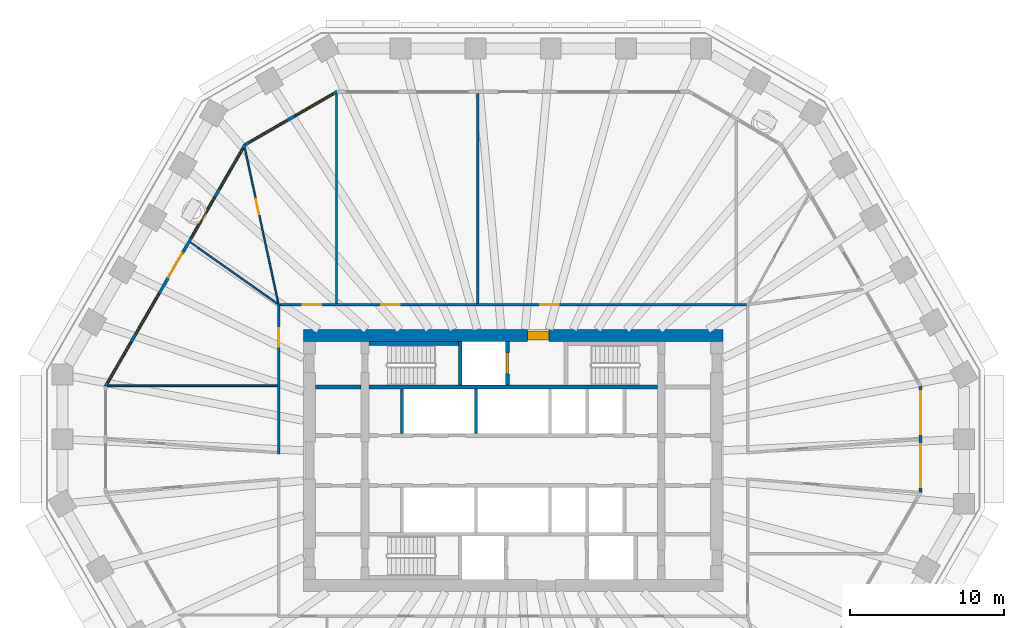
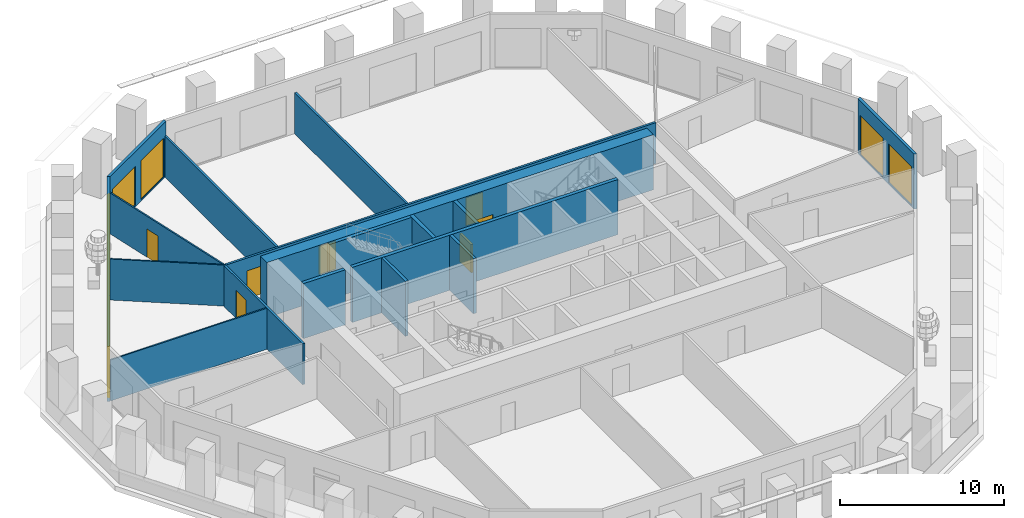
# One storey, part 6 of 12: 18 walls, 9 windows, 8 doors, 17 openings.
"""IFC4 building model written with IfcOpenShell, lengths in metres."""

from ifc_helpers import new_model, si_unit, direction, frame, frame_2d, origin, place, context, subcontext, project, spatial, polyline, rectangle, outline, extrude, material, layer, layer_set, type_object, element, fill, save


model = new_model("IFC4")

# Units and contexts
model_context = context("Model", 3, precision=1e-05, world=origin(), true_north=direction((0.0, 1.0)))
body_context = subcontext(model_context, "Body", "Model", "MODEL_VIEW")
ifc_project = project(units=[si_unit("LENGTHUNIT", "METRE"), si_unit("AREAUNIT", "SQUARE_METRE"), si_unit("VOLUMEUNIT", "CUBIC_METRE"), si_unit("PLANEANGLEUNIT", "RADIAN"), si_unit("MASSUNIT", "GRAM", prefix="KILO")], contexts=[model_context])

# Site, building, storey
site_placement = place(None, origin())
site = spatial("IfcSite", under=ifc_project, at=site_placement, CompositionType="ELEMENT")
building_placement = place(site_placement, origin())
building = spatial("IfcBuilding", under=site, at=building_placement, Name="Frailejon Research Tower", CompositionType="ELEMENT")
storey_placement = place(building_placement, frame((0.0, 0.0, 130.800048828125)))
storey = spatial("IfcBuildingStorey", under=building, at=storey_placement, Name="L28", CompositionType="ELEMENT", Elevation=130.800048828125)

# Wall, opening, door
ifc_material_1 = material(Name="Concrete C60/75", Category="concrete")
ifc_layer_1 = layer(ifc_material_1, 0.800048828125)
ifc_layer_set_1 = layer_set([ifc_layer_1], Name="Core shear wall 800 C60/75")
wall_type_1 = type_object("IfcWallType", Name="Core shear wall 800 C60/75", PredefinedType="SHEAR", material=ifc_layer_set_1)
wall_1_placement = place(storey_placement, frame((-13.60009765625, 8.10009765625, 0.0), z_axis=(0.0, 0.0, 1.0), x_axis=(1.0, 0.0, 0.0)))
wall_1 = element("IfcWall", 1, at=wall_1_placement, inside=storey, type_object=wall_type_1, Name="Core shear wall", PredefinedType="SHEAR", context=body_context, shape_type="SweptSolid", body=[
    extrude(rectangle(XDim=27.2001953125, YDim=0.800048828125, at=frame_2d((13.60009765625, 0.0))), origin(), (0.0, 0.0, 1.0), 4.099853515625),
])
opening_1_placement = place(wall_1_placement, frame((14.52490234375, 0.0, 0.0)))
opening_1 = element("IfcOpeningElement", 2, at=opening_1_placement, cuts=wall_1, Name="Opening D9", PredefinedType="OPENING", context=body_context, shape_type="SweptSolid", body=[
    extrude(rectangle(XDim=1.39990234375, YDim=2.10009765625, at=frame_2d((0.699951171875, 1.050048828125))), frame((0.0, 0.409912109375, 0.0), z_axis=(0.0, -1.0, 0.0), x_axis=(1.0, 0.0, 0.0)), (0.0, 0.0, 1.0), 0.820068359375),
])
ifc_material_2 = material(Name="Steel", Category="steel")
door_type_1 = type_object("IfcDoorType", Name="Goods lobby door", OperationType="DOUBLE_DOOR_SINGLE_SWING", PredefinedType="DOOR", material=ifc_material_2)
door_1_placement = place(opening_1_placement, origin())
door_1 = element("IfcDoor", 3, at=door_1_placement, inside=storey, type_object=door_type_1, Name="Goods lobby door", OperationType="DOUBLE_DOOR_SINGLE_SWING", OverallHeight=2.10009765625, OverallWidth=1.39990234375, PredefinedType="DOOR", context=body_context, shape_type="SweptSolid", body=[
    extrude(rectangle(XDim=1.39990234375, YDim=2.10009765625, at=frame_2d((0.699951171875, 1.050048828125))), frame((0.0, 0.300048828125, 0.0), z_axis=(0.0, -1.0, 0.0), x_axis=(1.0, 0.0, 0.0)), (0.0, 0.0, 1.0), 0.60009765625),
])
fill(opening_1, door_1)

# Wall, openings, doors
ifc_material_3 = material(Name="Gypsum board and masonry partition", Category="masonry")
ifc_layer_2 = layer(ifc_material_3, 0.14990234375)
ifc_layer_set_2 = layer_set([ifc_layer_2], Name="Corridor wall EI 60, gypsum on steel studs 150")
wall_type_2 = type_object("IfcWallType", Name="Corridor wall EI 60, gypsum on steel studs 150", PredefinedType="PARTITIONING", material=ifc_layer_set_2)
wall_2_placement = place(storey_placement, frame((-15.125, 10.10009765625, 0.0), z_axis=(0.0, 0.0, 1.0), x_axis=(1.0, 0.0, 0.0)))
wall_2 = element("IfcWall", 4, at=wall_2_placement, inside=storey, type_object=wall_type_2, Name="T:IW:L28:005", PredefinedType="PARTITIONING", context=body_context, shape_type="SweptSolid", body=[
    extrude(rectangle(XDim=30.25, YDim=0.14990234375, at=frame_2d((15.125, 0.0))), origin(), (0.0, 0.0, 1.0), 3.050048828125),
])
opening_2_placement = place(wall_2_placement, frame((16.895263671875, 0.0, 0.0)))
opening_2 = element("IfcOpeningElement", 5, at=opening_2_placement, cuts=wall_2, Name="Opening D1666", PredefinedType="OPENING", context=body_context, shape_type="SweptSolid", body=[
    extrude(rectangle(XDim=1.199951171875, YDim=2.10009765625, at=frame_2d((0.60009765625, 1.050048828125))), frame((0.0, 0.0849609375, 0.0), z_axis=(0.0, -1.0, 0.0), x_axis=(1.0, 0.0, 0.0)), (0.0, 0.0, 1.0), 0.169921875),
])
opening_3_placement = place(wall_2_placement, frame((6.563720703125, 0.0, 0.0)))
opening_3 = element("IfcOpeningElement", 6, at=opening_3_placement, cuts=wall_2, Name="Opening D1667", PredefinedType="OPENING", context=body_context, shape_type="SweptSolid", body=[
    extrude(rectangle(XDim=1.199951171875, YDim=2.10009765625, at=frame_2d((0.60009765625, 1.050048828125))), frame((0.0, 0.0849609375, 0.0), z_axis=(0.0, -1.0, 0.0), x_axis=(1.0, 0.0, 0.0)), (0.0, 0.0, 1.0), 0.169921875),
])
opening_4_placement = place(wall_2_placement, frame((1.4755859375, 0.0, 0.0)))
opening_4 = element("IfcOpeningElement", 7, at=opening_4_placement, cuts=wall_2, Name="Opening D1668", PredefinedType="OPENING", context=body_context, shape_type="SweptSolid", body=[
    extrude(rectangle(XDim=1.199951171875, YDim=2.10009765625, at=frame_2d((0.60009765625, 1.050048828125))), frame((0.0, 0.0849609375, 0.0), z_axis=(0.0, -1.0, 0.0), x_axis=(1.0, 0.0, 0.0)), (0.0, 0.0, 1.0), 0.169921875),
])
ifc_material_4 = material(Name="Timber door leaf", Category="wood")
door_type_2 = type_object("IfcDoorType", Name="Door laboratory, timber, vision panel 1200", OperationType="NOTDEFINED", PredefinedType="DOOR", material=ifc_material_4)
door_2_placement = place(opening_2_placement, origin())
door_2 = element("IfcDoor", 8, at=door_2_placement, inside=storey, type_object=door_type_2, Name="D1666", OperationType="DOUBLE_DOOR_SINGLE_SWING", OverallHeight=2.10009765625, OverallWidth=1.199951171875, PredefinedType="DOOR", context=body_context, shape_type="SweptSolid", body=[
    extrude(rectangle(XDim=1.199951171875, YDim=2.10009765625, at=frame_2d((0.60009765625, 1.050048828125))), frame((0.0, 0.02490234375, 0.0), z_axis=(0.0, -1.0, 0.0), x_axis=(1.0, 0.0, 0.0)), (0.0, 0.0, 1.0), 0.050048828125),
])
fill(opening_2, door_2)
door_3_placement = place(opening_3_placement, origin())
door_3 = element("IfcDoor", 9, at=door_3_placement, inside=storey, type_object=door_type_2, Name="D1667", OperationType="DOUBLE_DOOR_SINGLE_SWING", OverallHeight=2.10009765625, OverallWidth=1.199951171875, PredefinedType="DOOR", context=body_context, shape_type="SweptSolid", body=[
    extrude(rectangle(XDim=1.199951171875, YDim=2.10009765625, at=frame_2d((0.60009765625, 1.050048828125))), frame((0.0, 0.02490234375, 0.0), z_axis=(0.0, -1.0, 0.0), x_axis=(1.0, 0.0, 0.0)), (0.0, 0.0, 1.0), 0.050048828125),
])
fill(opening_3, door_3)
ifc_material_5 = material(Name="Timber door leaf", Category="wood")
door_type_3 = type_object("IfcDoorType", Name="Door single leaf, timber, steel frame 1200", OperationType="NOTDEFINED", PredefinedType="DOOR", material=ifc_material_5)
door_4_placement = place(opening_4_placement, origin())
door_4 = element("IfcDoor", 10, at=door_4_placement, inside=storey, type_object=door_type_3, Name="D1668", OperationType="DOUBLE_DOOR_SINGLE_SWING", OverallHeight=2.10009765625, OverallWidth=1.199951171875, PredefinedType="DOOR", context=body_context, shape_type="SweptSolid", body=[
    extrude(rectangle(XDim=1.199951171875, YDim=2.10009765625, at=frame_2d((0.60009765625, 1.050048828125))), frame((0.0, 0.02490234375, 0.0), z_axis=(0.0, -1.0, 0.0), x_axis=(1.0, 0.0, 0.0)), (0.0, 0.0, 1.0), 0.050048828125),
])
fill(opening_4, door_4)

# Wall, opening, door
wall_3_placement = place(storey_placement, frame((-15.199951171875, 0.42578125, 0.0), z_axis=(0.0, 0.0, 1.0), x_axis=(0.0, 1.0, 0.0)))
wall_3 = element("IfcWall", 11, at=wall_3_placement, inside=storey, type_object=wall_type_2, Name="T:IW:L28:007", PredefinedType="PARTITIONING", context=body_context, shape_type="SweptSolid", body=[
    extrude(rectangle(XDim=9.624267578125, YDim=0.14990234375, at=frame_2d((4.81201171875, 0.0))), origin(), (0.0, 0.0, 1.0), 3.050048828125),
])
opening_5_placement = place(wall_3_placement, frame((6.95068359375, 0.0, 0.0)))
opening_5 = element("IfcOpeningElement", 12, at=opening_5_placement, cuts=wall_3, Name="Opening D1670", PredefinedType="OPENING", context=body_context, shape_type="SweptSolid", body=[
    extrude(rectangle(XDim=1.199951171875, YDim=2.10009765625, at=frame_2d((0.60009765625, 1.050048828125))), frame((0.0, 0.0849609375, 0.0), z_axis=(0.0, -1.0, 0.0), x_axis=(1.0, 0.0, 0.0)), (0.0, 0.0, 1.0), 0.169921875),
])
door_5_placement = place(opening_5_placement, origin())
door_5 = element("IfcDoor", 13, at=door_5_placement, inside=storey, type_object=door_type_3, Name="D1670", OperationType="DOUBLE_DOOR_SINGLE_SWING", OverallHeight=2.10009765625, OverallWidth=1.199951171875, PredefinedType="DOOR", context=body_context, shape_type="SweptSolid", body=[
    extrude(rectangle(XDim=1.199951171875, YDim=2.10009765625, at=frame_2d((0.60009765625, 1.050048828125))), frame((0.0, 0.02490234375, 0.0), z_axis=(0.0, -1.0, 0.0), x_axis=(1.0, 0.0, 0.0)), (0.0, 0.0, 1.0), 0.050048828125),
])
fill(opening_5, door_5)

# Walls
ifc_material_6 = material(Name="Gypsum board and masonry partition", Category="masonry")
ifc_layer_3 = layer(ifc_material_6, 0.14990234375)
ifc_layer_set_3 = layer_set([ifc_layer_3], Name="Laboratory partition, blockwork 150")
wall_type_3 = type_object("IfcWallType", Name="Laboratory partition, blockwork 150", PredefinedType="PARTITIONING", material=ifc_layer_set_3)
wall_4_placement = place(storey_placement, frame((-2.29052734375, 10.175048828125, 0.0), z_axis=(0.0, 0.0, 1.0), x_axis=(0.0, 1.0, 0.0)))
element("IfcWall", 14, at=wall_4_placement, inside=storey, type_object=wall_type_3, Name="T:IW:L28:013", PredefinedType="PARTITIONING", context=body_context, shape_type="SweptSolid", body=[
    extrude(rectangle(XDim=13.625, YDim=0.14990234375, at=frame_2d((6.8125, 0.0))), origin(), (0.0, 0.0, 1.0), 3.050048828125),
])
wall_5_placement = place(storey_placement, frame((-11.453125, 10.175048828125, 0.0), z_axis=(0.0, 0.0, 1.0), x_axis=(0.0, 1.0, 0.0)))
element("IfcWall", 15, at=wall_5_placement, inside=storey, type_object=wall_type_3, Name="T:IW:L28:014", PredefinedType="PARTITIONING", context=body_context, shape_type="SweptSolid", body=[
    extrude(rectangle(XDim=13.593994140625, YDim=0.14990234375, at=frame_2d((6.796875, 0.0))), origin(), (0.0, 0.0, 1.0), 3.050048828125),
])

# Wall, opening, door
ifc_material_7 = material(Name="Gypsum board and masonry partition", Category="masonry")
ifc_layer_4 = layer(ifc_material_7, 0.10009765625)
ifc_layer_set_4 = layer_set([ifc_layer_4], Name="Partition, gypsum on steel studs 100")
wall_type_4 = type_object("IfcWallType", Name="Partition, gypsum on steel studs 100", PredefinedType="PARTITIONING", material=ifc_layer_set_4)
wall_6_placement = place(storey_placement, frame((-17.39013671875, 20.244873046875, 0.0), z_axis=(0.0, 0.0, 1.0), x_axis=(0.211012362952, -0.977483392535, 0.0)))
wall_6 = element("IfcWall", 16, at=wall_6_placement, inside=storey, type_object=wall_type_4, Name="T:IW:L28:020", PredefinedType="PARTITIONING", context=body_context, shape_type="SweptSolid", body=[
    extrude(rectangle(XDim=10.32861328125, YDim=0.10009765625, at=frame_2d((5.164306640625, 0.0))), origin(), (0.0, 0.0, 1.0), 3.050048828125),
])
opening_6_placement = place(wall_6_placement, frame((3.387451171875, 0.0, 0.0)))
opening_6 = element("IfcOpeningElement", 17, at=opening_6_placement, cuts=wall_6, Name="Opening D1669", PredefinedType="OPENING", context=body_context, shape_type="SweptSolid", body=[
    extrude(rectangle(XDim=1.0, YDim=2.10009765625, at=frame_2d((0.5, 1.050048828125))), frame((0.0, 0.06005859375, 0.0), z_axis=(0.0, -1.0, 0.0), x_axis=(1.0, 0.0, 0.0)), (0.0, 0.0, 1.0), 0.1201171875),
])
ifc_material_8 = material(Name="Timber door leaf", Category="wood")
door_type_4 = type_object("IfcDoorType", Name="Door single leaf, timber, steel frame 1000", OperationType="NOTDEFINED", PredefinedType="DOOR", material=ifc_material_8)
door_6_placement = place(opening_6_placement, origin())
door_6 = element("IfcDoor", 18, at=door_6_placement, inside=storey, type_object=door_type_4, Name="D1669", OperationType="SINGLE_SWING_RIGHT", OverallHeight=2.10009765625, OverallWidth=1.0, PredefinedType="DOOR", context=body_context, shape_type="SweptSolid", body=[
    extrude(rectangle(XDim=1.0, YDim=2.10009765625, at=frame_2d((0.5, 1.050048828125))), frame((0.0, 0.02490234375, 0.0), z_axis=(0.0, -1.0, 0.0), x_axis=(1.0, 0.0, 0.0)), (0.0, 0.0, 1.0), 0.050048828125),
])
fill(opening_6, door_6)

# Walls
wall_7_placement = place(storey_placement, frame((-20.912353515625, 14.144287109375, 0.0), z_axis=(0.0, 0.0, 1.0), x_axis=(0.816149265307, -0.577841134516, 0.0)))
element("IfcWall", 19, at=wall_7_placement, inside=storey, type_object=wall_type_4, Name="T:IW:L28:021", PredefinedType="PARTITIONING", context=body_context, shape_type="SweptSolid", body=[
    extrude(rectangle(XDim=7.073974609375, YDim=0.10009765625, at=frame_2d((3.537109375, 0.0))), origin(), (0.0, 0.0, 1.0), 3.050048828125),
])
wall_8_placement = place(storey_placement, frame((-26.2802734375, 4.846923828125, 0.0), z_axis=(0.0, 0.0, 1.0), x_axis=(1.0, 0.0, 0.0)))
element("IfcWall", 20, at=wall_8_placement, inside=storey, type_object=wall_type_4, Name="T:IW:L28:022", PredefinedType="PARTITIONING", context=body_context, shape_type="SweptSolid", body=[
    extrude(rectangle(XDim=11.00537109375, YDim=0.10009765625, at=frame_2d((5.502685546875, 0.0))), origin(), (0.0, 0.0, 1.0), 3.050048828125),
])
ifc_material_9 = material(Name="Concrete C60/75", Category="concrete")
ifc_layer_5 = layer(ifc_material_9, 0.199951171875)
ifc_layer_set_5 = layer_set([ifc_layer_5], Name="Shaft wall 200 C60/75")
wall_type_5 = type_object("IfcWallType", Name="Shaft wall 200 C60/75", PredefinedType="SOLIDWALL", material=ifc_layer_set_5)
for number, where, z_axis, x_axis, name in (
    (21, (-7.199951171875, 1.75, 0.0), (0.0, 0.0, 1.0), (0.0, 1.0, 0.0), "Shaft wall"),
    (22, (-2.39990234375, 1.75, 0.0), (0.0, 0.0, 1.0), (0.0, 1.0, 0.0), "Shaft wall"),
):
    element("IfcWall", number, at=place(storey_placement, frame(where, z_axis=z_axis, x_axis=x_axis)), inside=storey, type_object=wall_type_5, Name=name, PredefinedType="SOLIDWALL", context=body_context, shape_type="SweptSolid", body=[
        extrude(rectangle(XDim=2.89990234375, YDim=0.199951171875, at=frame_2d((1.449951171875, 0.0))), origin(), (0.0, 0.0, 1.0), 4.099853515625),
    ])
ifc_material_10 = material(Name="Concrete C60/75", Category="concrete")
ifc_layer_6 = layer(ifc_material_10, 0.25)
ifc_layer_set_6 = layer_set([ifc_layer_6], Name="Shaft wall 250 C60/75")
wall_type_6 = type_object("IfcWallType", Name="Shaft wall 250 C60/75", PredefinedType="SOLIDWALL", material=ifc_layer_set_6)
wall_9_placement = place(storey_placement, frame((-12.800048828125, 4.77490234375, 0.0), z_axis=(0.0, 0.0, 1.0), x_axis=(1.0, 0.0, 0.0)))
element("IfcWall", 23, at=wall_9_placement, inside=storey, type_object=wall_type_6, Name="Shaft wall", PredefinedType="SOLIDWALL", context=body_context, shape_type="SweptSolid", body=[
    extrude(rectangle(XDim=2.949951171875, YDim=0.25, at=frame_2d((1.47509765625, 0.0))), origin(), (0.0, 0.0, 1.0), 4.099853515625),
])
wall_10_placement = place(storey_placement, frame((-9.35009765625, 4.77490234375, 0.0), z_axis=(0.0, 0.0, 1.0), x_axis=(1.0, 0.0, 0.0)))
element("IfcWall", 24, at=wall_10_placement, inside=storey, type_object=wall_type_6, Name="Shaft wall", PredefinedType="SOLIDWALL", context=body_context, shape_type="SweptSolid", body=[
    extrude(rectangle(XDim=18.7001953125, YDim=0.25, at=frame_2d((9.35009765625, 0.0))), origin(), (0.0, 0.0, 1.0), 4.099853515625),
])
wall_11_placement = place(storey_placement, frame((-9.35009765625, 7.574951171875, 0.0), z_axis=(0.0, 0.0, 1.0), x_axis=(1.0, 0.0, 0.0)))
element("IfcWall", 25, at=wall_11_placement, inside=storey, type_object=wall_type_6, Name="Shaft wall", PredefinedType="SOLIDWALL", context=body_context, shape_type="SweptSolid", body=[
    extrude(rectangle(XDim=5.800048828125, YDim=0.25, at=frame_2d((2.89990234375, 0.0))), origin(), (0.0, 0.0, 1.0), 4.099853515625),
])
wall_12_placement = place(storey_placement, frame((-3.425048828125, 4.89990234375, 0.0), z_axis=(0.0, 0.0, 1.0), x_axis=(0.0, 1.0, 0.0)))
element("IfcWall", 26, at=wall_12_placement, inside=storey, type_object=wall_type_6, Name="Shaft wall", PredefinedType="SOLIDWALL", context=body_context, shape_type="SweptSolid", body=[
    extrude(rectangle(XDim=2.800048828125, YDim=0.25, at=frame_2d((1.39990234375, 0.0))), origin(), (0.0, 0.0, 1.0), 4.099853515625),
])

# Wall, opening, door
wall_13_placement = place(storey_placement, frame((-0.375, 4.89990234375, 0.0), z_axis=(0.0, 0.0, 1.0), x_axis=(0.0, 1.0, 0.0)))
wall_13 = element("IfcWall", 27, at=wall_13_placement, inside=storey, type_object=wall_type_6, Name="Shaft wall", PredefinedType="SOLIDWALL", context=body_context, shape_type="SweptSolid", body=[
    extrude(rectangle(XDim=2.800048828125, YDim=0.25, at=frame_2d((1.39990234375, 0.0))), origin(), (0.0, 0.0, 1.0), 4.099853515625),
])
opening_7_placement = place(wall_13_placement, frame((0.699951171875, 0.0, 0.0)))
opening_7 = element("IfcOpeningElement", 28, at=opening_7_placement, cuts=wall_13, Name="Opening LD2", PredefinedType="OPENING", context=body_context, shape_type="SweptSolid", body=[
    extrude(rectangle(XDim=1.39990234375, YDim=2.10009765625, at=frame_2d((0.699951171875, 1.050048828125))), frame((0.0, 0.135009765625, 0.0), z_axis=(0.0, -1.0, 0.0), x_axis=(1.0, 0.0, 0.0)), (0.0, 0.0, 1.0), 0.27001953125),
])
ifc_material_11 = material(Name="Stainless steel", Category="steel")
door_type_5 = type_object("IfcDoorType", Name="Goods landing door", OperationType="DOUBLE_DOOR_SLIDING", PredefinedType="DOOR", material=ifc_material_11)
door_7_placement = place(opening_7_placement, origin())
door_7 = element("IfcDoor", 29, at=door_7_placement, inside=storey, type_object=door_type_5, Name="Lift landing door", OperationType="DOUBLE_DOOR_SLIDING", OverallHeight=2.10009765625, OverallWidth=1.39990234375, PredefinedType="DOOR", context=body_context, shape_type="SweptSolid", body=[
    extrude(rectangle(XDim=1.39990234375, YDim=2.10009765625, at=frame_2d((0.699951171875, 1.050048828125))), frame((0.0, 0.074951171875, 0.0), z_axis=(0.0, -1.0, 0.0), x_axis=(1.0, 0.0, 0.0)), (0.0, 0.0, 1.0), 0.14990234375),
])
fill(opening_7, door_7)

# Wall, openings, windows
ifc_material_12 = material(Name="Concrete C40/50 precast window wall panel", Category="concrete")
ifc_layer_7 = layer(ifc_material_12, 0.199951171875)
ifc_layer_set_7 = layer_set([ifc_layer_7], Name="Window wall 200")
wall_type_7 = type_object("IfcWallType", Name="Window wall 200", PredefinedType="SOLIDWALL", material=ifc_layer_set_7)
wall_14_placement = place(storey_placement, frame((26.4111328125, -2.0546875, 0.0), z_axis=(0.0, 0.0, 1.0), x_axis=(0.0, 1.0, 0.0)))
wall_14 = element("IfcWall", 30, at=wall_14_placement, inside=storey, type_object=wall_type_7, Name="Exterior wall L28", PredefinedType="SOLIDWALL", context=body_context, shape_type="SweptSolid", body=[
    extrude(outline(polyline([(-0.02685546875, -0.10009765625), (1.1279296875, -0.10009765625), (2.28271484375, -0.10009765625), (3.4375, -0.10009765625), (4.592041015625, -0.10009765625), (5.746826171875, -0.10009765625), (6.901611328125, -0.10009765625), (6.847900390625, 0.10009765625), (5.7109375, 0.10009765625), (4.57421875, 0.10009765625), (3.4375, 0.10009765625), (2.300537109375, 0.10009765625), (1.16357421875, 0.10009765625), (0.02685546875, 0.10009765625), (-0.02685546875, -0.10009765625)])), origin(), (0.0, 0.0, 1.0), 4.099853515625),
])
opening_8_placement = place(wall_14_placement, frame((0.318603515625, 0.0, 0.10009765625)))
opening_8 = element("IfcOpeningElement", 31, at=opening_8_placement, cuts=wall_14, Name="Opening W3", PredefinedType="OPENING", context=body_context, shape_type="SweptSolid", body=[
    extrude(rectangle(XDim=2.800048828125, YDim=2.89990234375, at=frame_2d((1.39990234375, 1.449951171875))), frame((0.0, 0.10986328125, 0.0), z_axis=(0.0, -1.0, 0.0), x_axis=(1.0, 0.0, 0.0)), (0.0, 0.0, 1.0), 0.219970703125),
])
opening_9_placement = place(wall_14_placement, frame((3.756103515625, 0.0, 0.10009765625)))
opening_9 = element("IfcOpeningElement", 32, at=opening_9_placement, cuts=wall_14, Name="Opening W3", PredefinedType="OPENING", context=body_context, shape_type="SweptSolid", body=[
    extrude(rectangle(XDim=2.800048828125, YDim=2.89990234375, at=frame_2d((1.39990234375, 1.449951171875))), frame((0.0, 0.10986328125, 0.0), z_axis=(0.0, -1.0, 0.0), x_axis=(1.0, 0.0, 0.0)), (0.0, 0.0, 1.0), 0.219970703125),
])
ifc_material_13 = material(Name="Aluminium framed double glazing", Category="aluminium")
window_type_1 = type_object("IfcWindowType", Name="Window 2800x2900", PartitioningType="SINGLE_PANEL", PredefinedType="WINDOW", material=ifc_material_13)
window_1_placement = place(opening_8_placement, origin())
window_1 = element("IfcWindow", 33, at=window_1_placement, inside=storey, type_object=window_type_1, Name="Window L28", OverallHeight=2.89990234375, OverallWidth=2.800048828125, PartitioningType="SINGLE_PANEL", PredefinedType="WINDOW", context=body_context, shape_type="SweptSolid", body=[
    extrude(rectangle(XDim=2.800048828125, YDim=2.89990234375, at=frame_2d((1.39990234375, 1.449951171875))), frame((0.0, 0.030029296875, 0.0), z_axis=(0.0, -1.0, 0.0), x_axis=(1.0, 0.0, 0.0)), (0.0, 0.0, 1.0), 0.06005859375),
])
fill(opening_8, window_1)
window_2_placement = place(opening_9_placement, origin())
window_2 = element("IfcWindow", 34, at=window_2_placement, inside=storey, type_object=window_type_1, Name="Window L28", OverallHeight=2.89990234375, OverallWidth=2.800048828125, PartitioningType="SINGLE_PANEL", PredefinedType="WINDOW", context=body_context, shape_type="SweptSolid", body=[
    extrude(rectangle(XDim=2.800048828125, YDim=2.89990234375, at=frame_2d((1.39990234375, 1.449951171875))), frame((0.0, 0.030029296875, 0.0), z_axis=(0.0, -1.0, 0.0), x_axis=(1.0, 0.0, 0.0)), (0.0, 0.0, 1.0), 0.06005859375),
])
fill(opening_9, window_2)

wall_15_placement = place(storey_placement, frame((-11.42626953125, 23.89990234375, 0.0), z_axis=(0.0, 0.0, 1.0), x_axis=(-0.866029458321, -0.49999297727, 0.0)))
wall_15 = element("IfcWall", 35, at=wall_15_placement, inside=storey, type_object=wall_type_7, Name="Exterior wall L28", PredefinedType="SOLIDWALL", context=body_context, shape_type="SweptSolid", body=[
    extrude(outline(polyline([(-0.02685546875, -0.10009765625), (1.1279296875, -0.10009765625), (2.282470703125, -0.10009765625), (3.437255859375, -0.10009765625), (4.592041015625, -0.10009765625), (5.74658203125, -0.10009765625), (6.9013671875, -0.10009765625), (6.84765625, 0.10009765625), (5.7109375, 0.10009765625), (4.573974609375, 0.10009765625), (3.437255859375, 0.10009765625), (2.300537109375, 0.10009765625), (1.16357421875, 0.10009765625), (0.02685546875, 0.10009765625), (-0.02685546875, -0.10009765625)])), origin(), (0.0, 0.0, 1.0), 4.099853515625),
])
opening_10_placement = place(wall_15_placement, frame((0.318603515625, 0.0, 0.10009765625)))
opening_10 = element("IfcOpeningElement", 36, at=opening_10_placement, cuts=wall_15, Name="Opening W3", PredefinedType="OPENING", context=body_context, shape_type="SweptSolid", body=[
    extrude(rectangle(XDim=2.800048828125, YDim=2.89990234375, at=frame_2d((1.39990234375, 1.449951171875))), frame((0.0, 0.10986328125, 0.0), z_axis=(0.0, -1.0, 0.0), x_axis=(1.0, 0.0, 0.0)), (0.0, 0.0, 1.0), 0.219970703125),
])
opening_11_placement = place(wall_15_placement, frame((3.756103515625, 0.0, 0.10009765625)))
opening_11 = element("IfcOpeningElement", 37, at=opening_11_placement, cuts=wall_15, Name="Opening W3", PredefinedType="OPENING", context=body_context, shape_type="SweptSolid", body=[
    extrude(rectangle(XDim=2.800048828125, YDim=2.89990234375, at=frame_2d((1.39990234375, 1.449951171875))), frame((0.0, 0.10986328125, 0.0), z_axis=(0.0, -1.0, 0.0), x_axis=(1.0, 0.0, 0.0)), (0.0, 0.0, 1.0), 0.219970703125),
])
window_3_placement = place(opening_10_placement, origin())
window_3 = element("IfcWindow", 38, at=window_3_placement, inside=storey, type_object=window_type_1, Name="Window L28", OverallHeight=2.89990234375, OverallWidth=2.800048828125, PartitioningType="SINGLE_PANEL", PredefinedType="WINDOW", context=body_context, shape_type="SweptSolid", body=[
    extrude(rectangle(XDim=2.800048828125, YDim=2.89990234375, at=frame_2d((1.39990234375, 1.449951171875))), frame((0.0, 0.030029296875, 0.0), z_axis=(0.0, -1.0, 0.0), x_axis=(1.0, 0.0, 0.0)), (0.0, 0.0, 1.0), 0.06005859375),
])
fill(opening_10, window_3)
window_4_placement = place(opening_11_placement, origin())
window_4 = element("IfcWindow", 39, at=window_4_placement, inside=storey, type_object=window_type_1, Name="Window L28", OverallHeight=2.89990234375, OverallWidth=2.800048828125, PartitioningType="SINGLE_PANEL", PredefinedType="WINDOW", context=body_context, shape_type="SweptSolid", body=[
    extrude(rectangle(XDim=2.800048828125, YDim=2.89990234375, at=frame_2d((1.39990234375, 1.449951171875))), frame((0.0, 0.030029296875, 0.0), z_axis=(0.0, -1.0, 0.0), x_axis=(1.0, 0.0, 0.0)), (0.0, 0.0, 1.0), 0.06005859375),
])
fill(opening_11, window_4)

# Wall, openings, door, windows
wall_16_placement = place(storey_placement, frame((-17.3798828125, 20.462646484375, 0.0), z_axis=(0.0, 0.0, 1.0), x_axis=(-0.500000137386, -0.866025324465, 0.0)))
wall_16 = element("IfcWall", 40, at=wall_16_placement, inside=storey, type_object=wall_type_7, Name="Exterior wall L28", PredefinedType="SOLIDWALL", context=body_context, shape_type="SweptSolid", body=[
    extrude(outline(polyline([(-0.02685546875, -0.10009765625), (0.9794921875, -0.10009765625), (1.986083984375, -0.10009765625), (2.992431640625, -0.10009765625), (3.9990234375, -0.10009765625), (5.00537109375, -0.10009765625), (6.011962890625, -0.10009765625), (7.018310546875, -0.10009765625), (8.02490234375, -0.10009765625), (9.03125, -0.10009765625), (10.03759765625, -0.10009765625), (11.044189453125, -0.10009765625), (12.050537109375, -0.10009765625), (13.05712890625, -0.10009765625), (14.0634765625, -0.10009765625), (15.070068359375, -0.10009765625), (16.076416015625, -0.10009765625), (17.0830078125, -0.10009765625), (18.08935546875, -0.10009765625), (18.03564453125, 0.10009765625), (17.03515625, 0.10009765625), (16.03466796875, 0.10009765625), (15.0341796875, 0.10009765625), (14.03369140625, 0.10009765625), (13.033203125, 0.10009765625), (12.03271484375, 0.10009765625), (11.0322265625, 0.10009765625), (10.03173828125, 0.10009765625), (9.03125, 0.10009765625), (8.03076171875, 0.10009765625), (7.0302734375, 0.10009765625), (6.02978515625, 0.10009765625), (5.029296875, 0.10009765625), (4.02880859375, 0.10009765625), (3.0283203125, 0.10009765625), (2.02783203125, 0.10009765625), (1.02734375, 0.10009765625), (0.02685546875, 0.10009765625), (-0.02685546875, -0.10009765625)])), origin(), (0.0, 0.0, 1.0), 4.099853515625),
])
opening_12_placement = place(wall_16_placement, frame((0.306396484375, 0.0, 0.10009765625)))
opening_12 = element("IfcOpeningElement", 41, at=opening_12_placement, cuts=wall_16, Name="Opening W4", PredefinedType="OPENING", context=body_context, shape_type="SweptSolid", body=[
    extrude(rectangle(XDim=3.0, YDim=2.89990234375, at=frame_2d((1.5, 1.449951171875))), frame((0.0, 0.10986328125, 0.0), z_axis=(0.0, -1.0, 0.0), x_axis=(1.0, 0.0, 0.0)), (0.0, 0.0, 1.0), 0.219970703125),
])
opening_13_placement = place(wall_16_placement, frame((3.918701171875, 0.0, 0.10009765625)))
opening_13 = element("IfcOpeningElement", 42, at=opening_13_placement, cuts=wall_16, Name="Opening W4", PredefinedType="OPENING", context=body_context, shape_type="SweptSolid", body=[
    extrude(rectangle(XDim=3.0, YDim=2.89990234375, at=frame_2d((1.5, 1.449951171875))), frame((0.0, 0.10986328125, 0.0), z_axis=(0.0, -1.0, 0.0), x_axis=(1.0, 0.0, 0.0)), (0.0, 0.0, 1.0), 0.219970703125),
])
opening_14_placement = place(wall_16_placement, frame((8.13134765625, 0.0, 0.0)))
opening_14 = element("IfcOpeningElement", 43, at=opening_14_placement, cuts=wall_16, Name="Opening LG28-3", PredefinedType="OPENING", context=body_context, shape_type="SweptSolid", body=[
    extrude(rectangle(XDim=1.800048828125, YDim=2.39990234375, at=frame_2d((0.89990234375, 1.199951171875))), frame((0.0, 0.10986328125, 0.0), z_axis=(0.0, -1.0, 0.0), x_axis=(1.0, 0.0, 0.0)), (0.0, 0.0, 1.0), 0.219970703125),
])
opening_15_placement = place(wall_16_placement, frame((8.13134765625, 0.0, 2.550048828125)))
opening_15 = element("IfcOpeningElement", 44, at=opening_15_placement, cuts=wall_16, Name="Opening W1", PredefinedType="OPENING", context=body_context, shape_type="SweptSolid", body=[
    extrude(rectangle(XDim=1.800048828125, YDim=0.449951171875, at=frame_2d((0.89990234375, 0.22509765625))), frame((0.0, 0.10986328125, 0.0), z_axis=(0.0, -1.0, 0.0), x_axis=(1.0, 0.0, 0.0)), (0.0, 0.0, 1.0), 0.219970703125),
])
opening_16_placement = place(wall_16_placement, frame((11.143798828125, 0.0, 0.10009765625)))
opening_16 = element("IfcOpeningElement", 45, at=opening_16_placement, cuts=wall_16, Name="Opening W4", PredefinedType="OPENING", context=body_context, shape_type="SweptSolid", body=[
    extrude(rectangle(XDim=3.0, YDim=2.89990234375, at=frame_2d((1.5, 1.449951171875))), frame((0.0, 0.10986328125, 0.0), z_axis=(0.0, -1.0, 0.0), x_axis=(1.0, 0.0, 0.0)), (0.0, 0.0, 1.0), 0.219970703125),
])
opening_17_placement = place(wall_16_placement, frame((14.75634765625, 0.0, 0.10009765625)))
opening_17 = element("IfcOpeningElement", 46, at=opening_17_placement, cuts=wall_16, Name="Opening W4", PredefinedType="OPENING", context=body_context, shape_type="SweptSolid", body=[
    extrude(rectangle(XDim=3.0, YDim=2.89990234375, at=frame_2d((1.5, 1.449951171875))), frame((0.0, 0.10986328125, 0.0), z_axis=(0.0, -1.0, 0.0), x_axis=(1.0, 0.0, 0.0)), (0.0, 0.0, 1.0), 0.219970703125),
])
ifc_material_14 = material(Name="Aluminium framed glazed door leaf", Category="aluminium")
door_type_6 = type_object("IfcDoorType", Name="Loggia door 1800x2400", OperationType="DOUBLE_DOOR_SINGLE_SWING", PredefinedType="DOOR", material=ifc_material_14)
door_8_placement = place(opening_14_placement, origin())
door_8 = element("IfcDoor", 47, at=door_8_placement, inside=storey, type_object=door_type_6, Name="Door LG28-3", OperationType="DOUBLE_DOOR_SINGLE_SWING", OverallHeight=2.39990234375, OverallWidth=1.800048828125, PredefinedType="DOOR", context=body_context, shape_type="SweptSolid", body=[
    extrude(rectangle(XDim=1.800048828125, YDim=2.39990234375, at=frame_2d((0.89990234375, 1.199951171875))), frame((0.0, 0.02490234375, 0.0), z_axis=(0.0, -1.0, 0.0), x_axis=(1.0, 0.0, 0.0)), (0.0, 0.0, 1.0), 0.050048828125),
])
fill(opening_14, door_8)
ifc_material_15 = material(Name="Aluminium framed double glazing", Category="aluminium")
window_type_2 = type_object("IfcWindowType", Name="Window 1800x450", PartitioningType="SINGLE_PANEL", PredefinedType="WINDOW", material=ifc_material_15)
window_5_placement = place(opening_15_placement, origin())
window_5 = element("IfcWindow", 48, at=window_5_placement, inside=storey, type_object=window_type_2, Name="Window L28", OverallHeight=0.449951171875, OverallWidth=1.800048828125, PartitioningType="SINGLE_PANEL", PredefinedType="WINDOW", context=body_context, shape_type="SweptSolid", body=[
    extrude(rectangle(XDim=1.800048828125, YDim=0.449951171875, at=frame_2d((0.89990234375, 0.22509765625))), frame((0.0, 0.030029296875, 0.0), z_axis=(0.0, -1.0, 0.0), x_axis=(1.0, 0.0, 0.0)), (0.0, 0.0, 1.0), 0.06005859375),
])
fill(opening_15, window_5)
ifc_material_16 = material(Name="Aluminium framed double glazing", Category="aluminium")
window_type_3 = type_object("IfcWindowType", Name="Window 3000x2900", PartitioningType="SINGLE_PANEL", PredefinedType="WINDOW", material=ifc_material_16)
window_6_placement = place(opening_12_placement, origin())
window_6 = element("IfcWindow", 49, at=window_6_placement, inside=storey, type_object=window_type_3, Name="Window L28", OverallHeight=2.89990234375, OverallWidth=3.0, PartitioningType="SINGLE_PANEL", PredefinedType="WINDOW", context=body_context, shape_type="SweptSolid", body=[
    extrude(rectangle(XDim=3.0, YDim=2.89990234375, at=frame_2d((1.5, 1.449951171875))), frame((0.0, 0.030029296875, 0.0), z_axis=(0.0, -1.0, 0.0), x_axis=(1.0, 0.0, 0.0)), (0.0, 0.0, 1.0), 0.06005859375),
])
fill(opening_12, window_6)
window_7_placement = place(opening_13_placement, origin())
window_7 = element("IfcWindow", 50, at=window_7_placement, inside=storey, type_object=window_type_3, Name="Window L28", OverallHeight=2.89990234375, OverallWidth=3.0, PartitioningType="SINGLE_PANEL", PredefinedType="WINDOW", context=body_context, shape_type="SweptSolid", body=[
    extrude(rectangle(XDim=3.0, YDim=2.89990234375, at=frame_2d((1.5, 1.449951171875))), frame((0.0, 0.030029296875, 0.0), z_axis=(0.0, -1.0, 0.0), x_axis=(1.0, 0.0, 0.0)), (0.0, 0.0, 1.0), 0.06005859375),
])
fill(opening_13, window_7)
window_8_placement = place(opening_16_placement, origin())
window_8 = element("IfcWindow", 51, at=window_8_placement, inside=storey, type_object=window_type_3, Name="Window L28", OverallHeight=2.89990234375, OverallWidth=3.0, PartitioningType="SINGLE_PANEL", PredefinedType="WINDOW", context=body_context, shape_type="SweptSolid", body=[
    extrude(rectangle(XDim=3.0, YDim=2.89990234375, at=frame_2d((1.5, 1.449951171875))), frame((0.0, 0.030029296875, 0.0), z_axis=(0.0, -1.0, 0.0), x_axis=(1.0, 0.0, 0.0)), (0.0, 0.0, 1.0), 0.06005859375),
])
fill(opening_16, window_8)
window_9_placement = place(opening_17_placement, origin())
window_9 = element("IfcWindow", 52, at=window_9_placement, inside=storey, type_object=window_type_3, Name="Window L28", OverallHeight=2.89990234375, OverallWidth=3.0, PartitioningType="SINGLE_PANEL", PredefinedType="WINDOW", context=body_context, shape_type="SweptSolid", body=[
    extrude(rectangle(XDim=3.0, YDim=2.89990234375, at=frame_2d((1.5, 1.449951171875))), frame((0.0, 0.030029296875, 0.0), z_axis=(0.0, -1.0, 0.0), x_axis=(1.0, 0.0, 0.0)), (0.0, 0.0, 1.0), 0.06005859375),
])
fill(opening_17, window_9)

save(model, "model.ifc")
